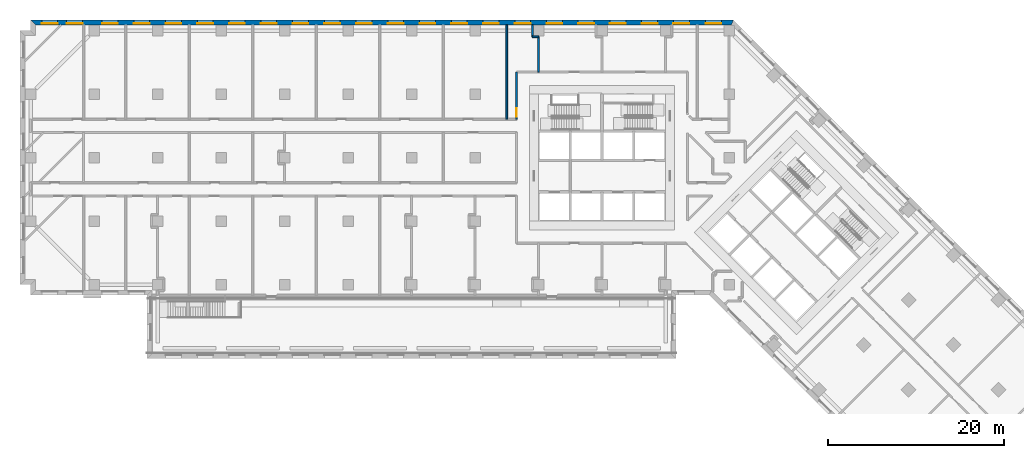
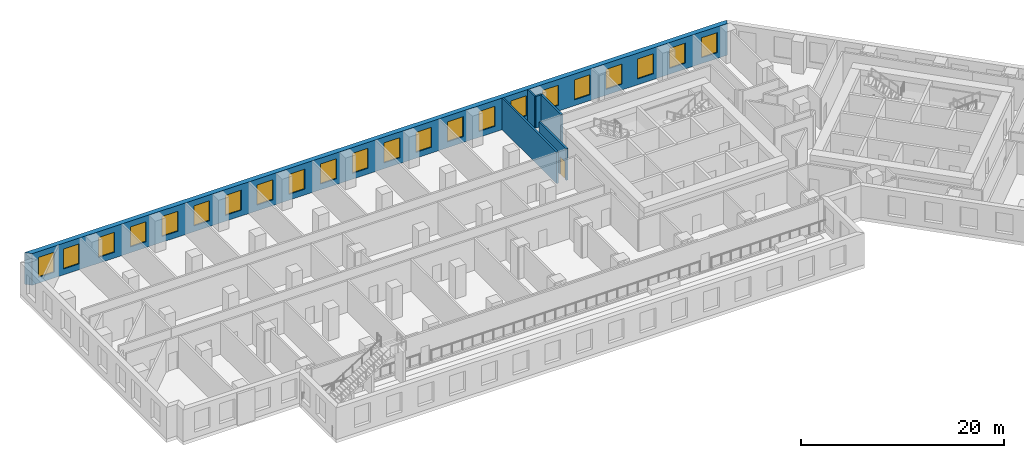
# One storey, part 6 of 14: 22 windows, 6 walls, 1 door, 23 openings.
"""IFC4 building model written with IfcOpenShell, lengths in metres."""

from ifc_helpers import new_model, si_unit, direction, frame, frame_2d, origin, place, context, subcontext, project, spatial, polyline, rectangle, outline, extrude, material, layer, layer_set, type_object, element, fill, save


model = new_model("IFC4")

# Units and contexts
model_context = context("Model", 3, precision=1e-05, world=origin(), true_north=direction((0.0, 1.0)))
body_context = subcontext(model_context, "Body", "Model", "MODEL_VIEW")
ifc_project = project(units=[si_unit("LENGTHUNIT", "METRE"), si_unit("AREAUNIT", "SQUARE_METRE"), si_unit("VOLUMEUNIT", "CUBIC_METRE"), si_unit("PLANEANGLEUNIT", "RADIAN"), si_unit("MASSUNIT", "GRAM", prefix="KILO")], contexts=[model_context])

# Site, building, storey
site_placement = place(None, origin())
site = spatial("IfcSite", under=ifc_project, at=site_placement, CompositionType="ELEMENT")
building_placement = place(site_placement, origin())
building = spatial("IfcBuilding", under=site, at=building_placement, Name="Windrow Commons", CompositionType="ELEMENT")
storey_placement = place(building_placement, frame((0.0, 0.0, 18.6)))
storey = spatial("IfcBuildingStorey", under=building, at=storey_placement, Name="L04", CompositionType="ELEMENT", Elevation=18.6)

# Wall, openings, windows
ifc_material_1 = material(Name="Brick masonry, red clay brick", Category="masonry")
ifc_layer_1 = layer(ifc_material_1, 0.55)
ifc_layer_set_1 = layer_set([ifc_layer_1], Name="Brick facade wall 550")
wall_type_1 = type_object("IfcWallType", Name="Brick facade wall 550", PredefinedType="SOLIDWALL", material=ifc_layer_set_1)
wall_1_placement = place(storey_placement, frame((79.5832, 72.925, 0.0), z_axis=(0.0, 0.0, 1.0), x_axis=(-1.0, 0.0, 0.0)))
wall_1 = element("IfcWall", 1, at=wall_1_placement, inside=storey, type_object=wall_type_1, Name="Brick facade wall L04 5", PredefinedType="SOLIDWALL", context=body_context, shape_type="SweptSolid", body=[
    extrude(outline(polyline([(-0.1139, -0.275), (79.5832, -0.275), (79.0332, 0.275), (0.1139, 0.275), (-0.1139, -0.275)])), origin(), (0.0, 0.0, 1.0), 3.8),
])
opening_1_placement = place(wall_1_placement, frame((1.2486, 0.0, 0.7)))
opening_1 = element("IfcOpeningElement", 2, at=opening_1_placement, cuts=wall_1, Name="Opening W2B", PredefinedType="OPENING", context=body_context, shape_type="SweptSolid", body=[
    extrude(rectangle(XDim=1.8, YDim=2.4, at=frame_2d((0.9, 1.2))), frame((0.0, 0.285, 0.0), z_axis=(0.0, -1.0, 0.0), x_axis=(1.0, 0.0, 0.0)), (0.0, 0.0, 1.0), 0.57),
])
opening_2_placement = place(wall_1_placement, frame((4.8832, 0.0, 0.7)))
opening_2 = element("IfcOpeningElement", 3, at=opening_2_placement, cuts=wall_1, Name="Opening W2B", PredefinedType="OPENING", context=body_context, shape_type="SweptSolid", body=[
    extrude(rectangle(XDim=1.8, YDim=2.4, at=frame_2d((0.9, 1.2))), frame((0.0, 0.285, 0.0), z_axis=(0.0, -1.0, 0.0), x_axis=(1.0, 0.0, 0.0)), (0.0, 0.0, 1.0), 0.57),
])
opening_3_placement = place(wall_1_placement, frame((8.4832, 0.0, 0.7)))
opening_3 = element("IfcOpeningElement", 4, at=opening_3_placement, cuts=wall_1, Name="Opening W2B", PredefinedType="OPENING", context=body_context, shape_type="SweptSolid", body=[
    extrude(rectangle(XDim=1.8, YDim=2.4, at=frame_2d((0.9, 1.2))), frame((0.0, 0.285, 0.0), z_axis=(0.0, -1.0, 0.0), x_axis=(1.0, 0.0, 0.0)), (0.0, 0.0, 1.0), 0.57),
])
opening_4_placement = place(wall_1_placement, frame((12.0832, 0.0, 0.7)))
opening_4 = element("IfcOpeningElement", 5, at=opening_4_placement, cuts=wall_1, Name="Opening W2B", PredefinedType="OPENING", context=body_context, shape_type="SweptSolid", body=[
    extrude(rectangle(XDim=1.8, YDim=2.4, at=frame_2d((0.9, 1.2))), frame((0.0, 0.285, 0.0), z_axis=(0.0, -1.0, 0.0), x_axis=(1.0, 0.0, 0.0)), (0.0, 0.0, 1.0), 0.57),
])
opening_5_placement = place(wall_1_placement, frame((15.6832, 0.0, 0.7)))
opening_5 = element("IfcOpeningElement", 6, at=opening_5_placement, cuts=wall_1, Name="Opening W2B", PredefinedType="OPENING", context=body_context, shape_type="SweptSolid", body=[
    extrude(rectangle(XDim=1.8, YDim=2.4, at=frame_2d((0.9, 1.2))), frame((0.0, 0.285, 0.0), z_axis=(0.0, -1.0, 0.0), x_axis=(1.0, 0.0, 0.0)), (0.0, 0.0, 1.0), 0.57),
])
opening_6_placement = place(wall_1_placement, frame((19.2832, 0.0, 0.7)))
opening_6 = element("IfcOpeningElement", 7, at=opening_6_placement, cuts=wall_1, Name="Opening W2B", PredefinedType="OPENING", context=body_context, shape_type="SweptSolid", body=[
    extrude(rectangle(XDim=1.8, YDim=2.4, at=frame_2d((0.9, 1.2))), frame((0.0, 0.285, 0.0), z_axis=(0.0, -1.0, 0.0), x_axis=(1.0, 0.0, 0.0)), (0.0, 0.0, 1.0), 0.57),
])
opening_7_placement = place(wall_1_placement, frame((22.8832, 0.0, 0.7)))
opening_7 = element("IfcOpeningElement", 8, at=opening_7_placement, cuts=wall_1, Name="Opening W2B", PredefinedType="OPENING", context=body_context, shape_type="SweptSolid", body=[
    extrude(rectangle(XDim=1.8, YDim=2.4, at=frame_2d((0.9, 1.2))), frame((0.0, 0.285, 0.0), z_axis=(0.0, -1.0, 0.0), x_axis=(1.0, 0.0, 0.0)), (0.0, 0.0, 1.0), 0.57),
])
opening_8_placement = place(wall_1_placement, frame((26.4832, 0.0, 0.7)))
opening_8 = element("IfcOpeningElement", 9, at=opening_8_placement, cuts=wall_1, Name="Opening W2B", PredefinedType="OPENING", context=body_context, shape_type="SweptSolid", body=[
    extrude(rectangle(XDim=1.8, YDim=2.4, at=frame_2d((0.9, 1.2))), frame((0.0, 0.285, 0.0), z_axis=(0.0, -1.0, 0.0), x_axis=(1.0, 0.0, 0.0)), (0.0, 0.0, 1.0), 0.57),
])
opening_9_placement = place(wall_1_placement, frame((30.0832, 0.0, 0.7)))
opening_9 = element("IfcOpeningElement", 10, at=opening_9_placement, cuts=wall_1, Name="Opening W2B", PredefinedType="OPENING", context=body_context, shape_type="SweptSolid", body=[
    extrude(rectangle(XDim=1.8, YDim=2.4, at=frame_2d((0.9, 1.2))), frame((0.0, 0.285, 0.0), z_axis=(0.0, -1.0, 0.0), x_axis=(1.0, 0.0, 0.0)), (0.0, 0.0, 1.0), 0.57),
])
opening_10_placement = place(wall_1_placement, frame((33.6832, 0.0, 0.7)))
opening_10 = element("IfcOpeningElement", 11, at=opening_10_placement, cuts=wall_1, Name="Opening W2B", PredefinedType="OPENING", context=body_context, shape_type="SweptSolid", body=[
    extrude(rectangle(XDim=1.8, YDim=2.4, at=frame_2d((0.9, 1.2))), frame((0.0, 0.285, 0.0), z_axis=(0.0, -1.0, 0.0), x_axis=(1.0, 0.0, 0.0)), (0.0, 0.0, 1.0), 0.57),
])
opening_11_placement = place(wall_1_placement, frame((37.2832, 0.0, 0.7)))
opening_11 = element("IfcOpeningElement", 12, at=opening_11_placement, cuts=wall_1, Name="Opening W2B", PredefinedType="OPENING", context=body_context, shape_type="SweptSolid", body=[
    extrude(rectangle(XDim=1.8, YDim=2.4, at=frame_2d((0.9, 1.2))), frame((0.0, 0.285, 0.0), z_axis=(0.0, -1.0, 0.0), x_axis=(1.0, 0.0, 0.0)), (0.0, 0.0, 1.0), 0.57),
])
opening_12_placement = place(wall_1_placement, frame((40.8832, 0.0, 0.7)))
opening_12 = element("IfcOpeningElement", 13, at=opening_12_placement, cuts=wall_1, Name="Opening W2B", PredefinedType="OPENING", context=body_context, shape_type="SweptSolid", body=[
    extrude(rectangle(XDim=1.8, YDim=2.4, at=frame_2d((0.9, 1.2))), frame((0.0, 0.285, 0.0), z_axis=(0.0, -1.0, 0.0), x_axis=(1.0, 0.0, 0.0)), (0.0, 0.0, 1.0), 0.57),
])
opening_13_placement = place(wall_1_placement, frame((44.4832, 0.0, 0.7)))
opening_13 = element("IfcOpeningElement", 14, at=opening_13_placement, cuts=wall_1, Name="Opening W2B", PredefinedType="OPENING", context=body_context, shape_type="SweptSolid", body=[
    extrude(rectangle(XDim=1.8, YDim=2.4, at=frame_2d((0.9, 1.2))), frame((0.0, 0.285, 0.0), z_axis=(0.0, -1.0, 0.0), x_axis=(1.0, 0.0, 0.0)), (0.0, 0.0, 1.0), 0.57),
])
opening_14_placement = place(wall_1_placement, frame((48.0832, 0.0, 0.7)))
opening_14 = element("IfcOpeningElement", 15, at=opening_14_placement, cuts=wall_1, Name="Opening W2B", PredefinedType="OPENING", context=body_context, shape_type="SweptSolid", body=[
    extrude(rectangle(XDim=1.8, YDim=2.4, at=frame_2d((0.9, 1.2))), frame((0.0, 0.285, 0.0), z_axis=(0.0, -1.0, 0.0), x_axis=(1.0, 0.0, 0.0)), (0.0, 0.0, 1.0), 0.57),
])
opening_15_placement = place(wall_1_placement, frame((51.6832, 0.0, 0.7)))
opening_15 = element("IfcOpeningElement", 16, at=opening_15_placement, cuts=wall_1, Name="Opening W2B", PredefinedType="OPENING", context=body_context, shape_type="SweptSolid", body=[
    extrude(rectangle(XDim=1.8, YDim=2.4, at=frame_2d((0.9, 1.2))), frame((0.0, 0.285, 0.0), z_axis=(0.0, -1.0, 0.0), x_axis=(1.0, 0.0, 0.0)), (0.0, 0.0, 1.0), 0.57),
])
opening_16_placement = place(wall_1_placement, frame((55.2832, 0.0, 0.7)))
opening_16 = element("IfcOpeningElement", 17, at=opening_16_placement, cuts=wall_1, Name="Opening W2B", PredefinedType="OPENING", context=body_context, shape_type="SweptSolid", body=[
    extrude(rectangle(XDim=1.8, YDim=2.4, at=frame_2d((0.9, 1.2))), frame((0.0, 0.285, 0.0), z_axis=(0.0, -1.0, 0.0), x_axis=(1.0, 0.0, 0.0)), (0.0, 0.0, 1.0), 0.57),
])
opening_17_placement = place(wall_1_placement, frame((58.8832, 0.0, 0.7)))
opening_17 = element("IfcOpeningElement", 18, at=opening_17_placement, cuts=wall_1, Name="Opening W2B", PredefinedType="OPENING", context=body_context, shape_type="SweptSolid", body=[
    extrude(rectangle(XDim=1.8, YDim=2.4, at=frame_2d((0.9, 1.2))), frame((0.0, 0.285, 0.0), z_axis=(0.0, -1.0, 0.0), x_axis=(1.0, 0.0, 0.0)), (0.0, 0.0, 1.0), 0.57),
])
opening_18_placement = place(wall_1_placement, frame((62.4832, 0.0, 0.7)))
opening_18 = element("IfcOpeningElement", 19, at=opening_18_placement, cuts=wall_1, Name="Opening W2B", PredefinedType="OPENING", context=body_context, shape_type="SweptSolid", body=[
    extrude(rectangle(XDim=1.8, YDim=2.4, at=frame_2d((0.9, 1.2))), frame((0.0, 0.285, 0.0), z_axis=(0.0, -1.0, 0.0), x_axis=(1.0, 0.0, 0.0)), (0.0, 0.0, 1.0), 0.57),
])
opening_19_placement = place(wall_1_placement, frame((66.0832, 0.0, 0.7)))
opening_19 = element("IfcOpeningElement", 20, at=opening_19_placement, cuts=wall_1, Name="Opening W2B", PredefinedType="OPENING", context=body_context, shape_type="SweptSolid", body=[
    extrude(rectangle(XDim=1.8, YDim=2.4, at=frame_2d((0.9, 1.2))), frame((0.0, 0.285, 0.0), z_axis=(0.0, -1.0, 0.0), x_axis=(1.0, 0.0, 0.0)), (0.0, 0.0, 1.0), 0.57),
])
opening_20_placement = place(wall_1_placement, frame((69.6832, 0.0, 0.7)))
opening_20 = element("IfcOpeningElement", 21, at=opening_20_placement, cuts=wall_1, Name="Opening W2B", PredefinedType="OPENING", context=body_context, shape_type="SweptSolid", body=[
    extrude(rectangle(XDim=1.8, YDim=2.4, at=frame_2d((0.9, 1.2))), frame((0.0, 0.285, 0.0), z_axis=(0.0, -1.0, 0.0), x_axis=(1.0, 0.0, 0.0)), (0.0, 0.0, 1.0), 0.57),
])
opening_21_placement = place(wall_1_placement, frame((73.6832, 0.0, 0.7)))
opening_21 = element("IfcOpeningElement", 22, at=opening_21_placement, cuts=wall_1, Name="Opening W2B", PredefinedType="OPENING", context=body_context, shape_type="SweptSolid", body=[
    extrude(rectangle(XDim=1.8, YDim=2.4, at=frame_2d((0.9, 1.2))), frame((0.0, 0.285, 0.0), z_axis=(0.0, -1.0, 0.0), x_axis=(1.0, 0.0, 0.0)), (0.0, 0.0, 1.0), 0.57),
])
opening_22_placement = place(wall_1_placement, frame((76.5082, 0.0, 0.7)))
opening_22 = element("IfcOpeningElement", 23, at=opening_22_placement, cuts=wall_1, Name="Opening W2B", PredefinedType="OPENING", context=body_context, shape_type="SweptSolid", body=[
    extrude(rectangle(XDim=1.8, YDim=2.4, at=frame_2d((0.9, 1.2))), frame((0.0, 0.285, 0.0), z_axis=(0.0, -1.0, 0.0), x_axis=(1.0, 0.0, 0.0)), (0.0, 0.0, 1.0), 0.57),
])
ifc_material_2 = material(Name="Clear float glass in anodised aluminium frame", Category="aluminium")
window_type = type_object("IfcWindowType", Name="Window W2 podium 1800x2400", PartitioningType="SINGLE_PANEL", PredefinedType="WINDOW", material=ifc_material_2)
window_1_placement = place(opening_1_placement, origin())
window_1 = element("IfcWindow", 24, at=window_1_placement, inside=storey, type_object=window_type, Name="Window L04 5.1", OverallHeight=2.4, OverallWidth=1.8, PartitioningType="SINGLE_PANEL", PredefinedType="WINDOW", context=body_context, shape_type="SweptSolid", body=[
    extrude(rectangle(XDim=1.8, YDim=2.4, at=frame_2d((0.9, 1.2))), frame((0.0, 0.155, 0.0), z_axis=(0.0, -1.0, 0.0), x_axis=(1.0, 0.0, 0.0)), (0.0, 0.0, 1.0), 0.06),
])
fill(opening_1, window_1)
window_2_placement = place(opening_2_placement, origin())
window_2 = element("IfcWindow", 25, at=window_2_placement, inside=storey, type_object=window_type, Name="Window L04 5.2", OverallHeight=2.4, OverallWidth=1.8, PartitioningType="SINGLE_PANEL", PredefinedType="WINDOW", context=body_context, shape_type="SweptSolid", body=[
    extrude(rectangle(XDim=1.8, YDim=2.4, at=frame_2d((0.9, 1.2))), frame((0.0, 0.155, 0.0), z_axis=(0.0, -1.0, 0.0), x_axis=(1.0, 0.0, 0.0)), (0.0, 0.0, 1.0), 0.06),
])
fill(opening_2, window_2)
window_3_placement = place(opening_3_placement, origin())
window_3 = element("IfcWindow", 26, at=window_3_placement, inside=storey, type_object=window_type, Name="Window L04 5.3", OverallHeight=2.4, OverallWidth=1.8, PartitioningType="SINGLE_PANEL", PredefinedType="WINDOW", context=body_context, shape_type="SweptSolid", body=[
    extrude(rectangle(XDim=1.8, YDim=2.4, at=frame_2d((0.9, 1.2))), frame((0.0, 0.155, 0.0), z_axis=(0.0, -1.0, 0.0), x_axis=(1.0, 0.0, 0.0)), (0.0, 0.0, 1.0), 0.06),
])
fill(opening_3, window_3)
window_4_placement = place(opening_4_placement, origin())
window_4 = element("IfcWindow", 27, at=window_4_placement, inside=storey, type_object=window_type, Name="Window L04 5.4", OverallHeight=2.4, OverallWidth=1.8, PartitioningType="SINGLE_PANEL", PredefinedType="WINDOW", context=body_context, shape_type="SweptSolid", body=[
    extrude(rectangle(XDim=1.8, YDim=2.4, at=frame_2d((0.9, 1.2))), frame((0.0, 0.155, 0.0), z_axis=(0.0, -1.0, 0.0), x_axis=(1.0, 0.0, 0.0)), (0.0, 0.0, 1.0), 0.06),
])
fill(opening_4, window_4)
window_5_placement = place(opening_5_placement, origin())
window_5 = element("IfcWindow", 28, at=window_5_placement, inside=storey, type_object=window_type, Name="Window L04 5.5", OverallHeight=2.4, OverallWidth=1.8, PartitioningType="SINGLE_PANEL", PredefinedType="WINDOW", context=body_context, shape_type="SweptSolid", body=[
    extrude(rectangle(XDim=1.8, YDim=2.4, at=frame_2d((0.9, 1.2))), frame((0.0, 0.155, 0.0), z_axis=(0.0, -1.0, 0.0), x_axis=(1.0, 0.0, 0.0)), (0.0, 0.0, 1.0), 0.06),
])
fill(opening_5, window_5)
window_6_placement = place(opening_6_placement, origin())
window_6 = element("IfcWindow", 29, at=window_6_placement, inside=storey, type_object=window_type, Name="Window L04 5.6", OverallHeight=2.4, OverallWidth=1.8, PartitioningType="SINGLE_PANEL", PredefinedType="WINDOW", context=body_context, shape_type="SweptSolid", body=[
    extrude(rectangle(XDim=1.8, YDim=2.4, at=frame_2d((0.9, 1.2))), frame((0.0, 0.155, 0.0), z_axis=(0.0, -1.0, 0.0), x_axis=(1.0, 0.0, 0.0)), (0.0, 0.0, 1.0), 0.06),
])
fill(opening_6, window_6)
window_7_placement = place(opening_7_placement, origin())
window_7 = element("IfcWindow", 30, at=window_7_placement, inside=storey, type_object=window_type, Name="Window L04 5.7", OverallHeight=2.4, OverallWidth=1.8, PartitioningType="SINGLE_PANEL", PredefinedType="WINDOW", context=body_context, shape_type="SweptSolid", body=[
    extrude(rectangle(XDim=1.8, YDim=2.4, at=frame_2d((0.9, 1.2))), frame((0.0, 0.155, 0.0), z_axis=(0.0, -1.0, 0.0), x_axis=(1.0, 0.0, 0.0)), (0.0, 0.0, 1.0), 0.06),
])
fill(opening_7, window_7)
window_8_placement = place(opening_8_placement, origin())
window_8 = element("IfcWindow", 31, at=window_8_placement, inside=storey, type_object=window_type, Name="Window L04 5.8", OverallHeight=2.4, OverallWidth=1.8, PartitioningType="SINGLE_PANEL", PredefinedType="WINDOW", context=body_context, shape_type="SweptSolid", body=[
    extrude(rectangle(XDim=1.8, YDim=2.4, at=frame_2d((0.9, 1.2))), frame((0.0, 0.155, 0.0), z_axis=(0.0, -1.0, 0.0), x_axis=(1.0, 0.0, 0.0)), (0.0, 0.0, 1.0), 0.06),
])
fill(opening_8, window_8)
window_9_placement = place(opening_9_placement, origin())
window_9 = element("IfcWindow", 32, at=window_9_placement, inside=storey, type_object=window_type, Name="Window L04 5.9", OverallHeight=2.4, OverallWidth=1.8, PartitioningType="SINGLE_PANEL", PredefinedType="WINDOW", context=body_context, shape_type="SweptSolid", body=[
    extrude(rectangle(XDim=1.8, YDim=2.4, at=frame_2d((0.9, 1.2))), frame((0.0, 0.155, 0.0), z_axis=(0.0, -1.0, 0.0), x_axis=(1.0, 0.0, 0.0)), (0.0, 0.0, 1.0), 0.06),
])
fill(opening_9, window_9)
window_10_placement = place(opening_10_placement, origin())
window_10 = element("IfcWindow", 33, at=window_10_placement, inside=storey, type_object=window_type, Name="Window L04 5.10", OverallHeight=2.4, OverallWidth=1.8, PartitioningType="SINGLE_PANEL", PredefinedType="WINDOW", context=body_context, shape_type="SweptSolid", body=[
    extrude(rectangle(XDim=1.8, YDim=2.4, at=frame_2d((0.9, 1.2))), frame((0.0, 0.155, 0.0), z_axis=(0.0, -1.0, 0.0), x_axis=(1.0, 0.0, 0.0)), (0.0, 0.0, 1.0), 0.06),
])
fill(opening_10, window_10)
window_11_placement = place(opening_11_placement, origin())
window_11 = element("IfcWindow", 34, at=window_11_placement, inside=storey, type_object=window_type, Name="Window L04 5.11", OverallHeight=2.4, OverallWidth=1.8, PartitioningType="SINGLE_PANEL", PredefinedType="WINDOW", context=body_context, shape_type="SweptSolid", body=[
    extrude(rectangle(XDim=1.8, YDim=2.4, at=frame_2d((0.9, 1.2))), frame((0.0, 0.155, 0.0), z_axis=(0.0, -1.0, 0.0), x_axis=(1.0, 0.0, 0.0)), (0.0, 0.0, 1.0), 0.06),
])
fill(opening_11, window_11)
window_12_placement = place(opening_12_placement, origin())
window_12 = element("IfcWindow", 35, at=window_12_placement, inside=storey, type_object=window_type, Name="Window L04 5.12", OverallHeight=2.4, OverallWidth=1.8, PartitioningType="SINGLE_PANEL", PredefinedType="WINDOW", context=body_context, shape_type="SweptSolid", body=[
    extrude(rectangle(XDim=1.8, YDim=2.4, at=frame_2d((0.9, 1.2))), frame((0.0, 0.155, 0.0), z_axis=(0.0, -1.0, 0.0), x_axis=(1.0, 0.0, 0.0)), (0.0, 0.0, 1.0), 0.06),
])
fill(opening_12, window_12)
window_13_placement = place(opening_13_placement, origin())
window_13 = element("IfcWindow", 36, at=window_13_placement, inside=storey, type_object=window_type, Name="Window L04 5.13", OverallHeight=2.4, OverallWidth=1.8, PartitioningType="SINGLE_PANEL", PredefinedType="WINDOW", context=body_context, shape_type="SweptSolid", body=[
    extrude(rectangle(XDim=1.8, YDim=2.4, at=frame_2d((0.9, 1.2))), frame((0.0, 0.155, 0.0), z_axis=(0.0, -1.0, 0.0), x_axis=(1.0, 0.0, 0.0)), (0.0, 0.0, 1.0), 0.06),
])
fill(opening_13, window_13)
window_14_placement = place(opening_14_placement, origin())
window_14 = element("IfcWindow", 37, at=window_14_placement, inside=storey, type_object=window_type, Name="Window L04 5.14", OverallHeight=2.4, OverallWidth=1.8, PartitioningType="SINGLE_PANEL", PredefinedType="WINDOW", context=body_context, shape_type="SweptSolid", body=[
    extrude(rectangle(XDim=1.8, YDim=2.4, at=frame_2d((0.9, 1.2))), frame((0.0, 0.155, 0.0), z_axis=(0.0, -1.0, 0.0), x_axis=(1.0, 0.0, 0.0)), (0.0, 0.0, 1.0), 0.06),
])
fill(opening_14, window_14)
window_15_placement = place(opening_15_placement, origin())
window_15 = element("IfcWindow", 38, at=window_15_placement, inside=storey, type_object=window_type, Name="Window L04 5.15", OverallHeight=2.4, OverallWidth=1.8, PartitioningType="SINGLE_PANEL", PredefinedType="WINDOW", context=body_context, shape_type="SweptSolid", body=[
    extrude(rectangle(XDim=1.8, YDim=2.4, at=frame_2d((0.9, 1.2))), frame((0.0, 0.155, 0.0), z_axis=(0.0, -1.0, 0.0), x_axis=(1.0, 0.0, 0.0)), (0.0, 0.0, 1.0), 0.06),
])
fill(opening_15, window_15)
window_16_placement = place(opening_16_placement, origin())
window_16 = element("IfcWindow", 39, at=window_16_placement, inside=storey, type_object=window_type, Name="Window L04 5.16", OverallHeight=2.4, OverallWidth=1.8, PartitioningType="SINGLE_PANEL", PredefinedType="WINDOW", context=body_context, shape_type="SweptSolid", body=[
    extrude(rectangle(XDim=1.8, YDim=2.4, at=frame_2d((0.9, 1.2))), frame((0.0, 0.155, 0.0), z_axis=(0.0, -1.0, 0.0), x_axis=(1.0, 0.0, 0.0)), (0.0, 0.0, 1.0), 0.06),
])
fill(opening_16, window_16)
window_17_placement = place(opening_17_placement, origin())
window_17 = element("IfcWindow", 40, at=window_17_placement, inside=storey, type_object=window_type, Name="Window L04 5.17", OverallHeight=2.4, OverallWidth=1.8, PartitioningType="SINGLE_PANEL", PredefinedType="WINDOW", context=body_context, shape_type="SweptSolid", body=[
    extrude(rectangle(XDim=1.8, YDim=2.4, at=frame_2d((0.9, 1.2))), frame((0.0, 0.155, 0.0), z_axis=(0.0, -1.0, 0.0), x_axis=(1.0, 0.0, 0.0)), (0.0, 0.0, 1.0), 0.06),
])
fill(opening_17, window_17)
window_18_placement = place(opening_18_placement, origin())
window_18 = element("IfcWindow", 41, at=window_18_placement, inside=storey, type_object=window_type, Name="Window L04 5.18", OverallHeight=2.4, OverallWidth=1.8, PartitioningType="SINGLE_PANEL", PredefinedType="WINDOW", context=body_context, shape_type="SweptSolid", body=[
    extrude(rectangle(XDim=1.8, YDim=2.4, at=frame_2d((0.9, 1.2))), frame((0.0, 0.155, 0.0), z_axis=(0.0, -1.0, 0.0), x_axis=(1.0, 0.0, 0.0)), (0.0, 0.0, 1.0), 0.06),
])
fill(opening_18, window_18)
window_19_placement = place(opening_19_placement, origin())
window_19 = element("IfcWindow", 42, at=window_19_placement, inside=storey, type_object=window_type, Name="Window L04 5.19", OverallHeight=2.4, OverallWidth=1.8, PartitioningType="SINGLE_PANEL", PredefinedType="WINDOW", context=body_context, shape_type="SweptSolid", body=[
    extrude(rectangle(XDim=1.8, YDim=2.4, at=frame_2d((0.9, 1.2))), frame((0.0, 0.155, 0.0), z_axis=(0.0, -1.0, 0.0), x_axis=(1.0, 0.0, 0.0)), (0.0, 0.0, 1.0), 0.06),
])
fill(opening_19, window_19)
window_20_placement = place(opening_20_placement, origin())
window_20 = element("IfcWindow", 43, at=window_20_placement, inside=storey, type_object=window_type, Name="Window L04 5.20", OverallHeight=2.4, OverallWidth=1.8, PartitioningType="SINGLE_PANEL", PredefinedType="WINDOW", context=body_context, shape_type="SweptSolid", body=[
    extrude(rectangle(XDim=1.8, YDim=2.4, at=frame_2d((0.9, 1.2))), frame((0.0, 0.155, 0.0), z_axis=(0.0, -1.0, 0.0), x_axis=(1.0, 0.0, 0.0)), (0.0, 0.0, 1.0), 0.06),
])
fill(opening_20, window_20)
window_21_placement = place(opening_21_placement, origin())
window_21 = element("IfcWindow", 44, at=window_21_placement, inside=storey, type_object=window_type, Name="Window L04 5.21", OverallHeight=2.4, OverallWidth=1.8, PartitioningType="SINGLE_PANEL", PredefinedType="WINDOW", context=body_context, shape_type="SweptSolid", body=[
    extrude(rectangle(XDim=1.8, YDim=2.4, at=frame_2d((0.9, 1.2))), frame((0.0, 0.155, 0.0), z_axis=(0.0, -1.0, 0.0), x_axis=(1.0, 0.0, 0.0)), (0.0, 0.0, 1.0), 0.06),
])
fill(opening_21, window_21)
window_22_placement = place(opening_22_placement, origin())
window_22 = element("IfcWindow", 45, at=window_22_placement, inside=storey, type_object=window_type, Name="Window L04 5.22", OverallHeight=2.4, OverallWidth=1.8, PartitioningType="SINGLE_PANEL", PredefinedType="WINDOW", context=body_context, shape_type="SweptSolid", body=[
    extrude(rectangle(XDim=1.8, YDim=2.4, at=frame_2d((0.9, 1.2))), frame((0.0, 0.155, 0.0), z_axis=(0.0, -1.0, 0.0), x_axis=(1.0, 0.0, 0.0)), (0.0, 0.0, 1.0), 0.06),
])
fill(opening_22, window_22)

# Wall, opening, door
ifc_material_3 = material(Name="Blockwork partition", Category="masonry")
ifc_layer_2 = layer(ifc_material_3, 0.2)
ifc_layer_set_2 = layer_set([ifc_layer_2], Name="IW-CORRIDOR-200")
wall_type_2 = type_object("IfcWallType", Name="IW-CORRIDOR-200", PredefinedType="PARTITIONING", material=ifc_layer_set_2)
wall_2_placement = place(storey_placement, frame((55.1, 61.952, 0.0), z_axis=(0.0, 0.0, 1.0), x_axis=(0.0, 1.0, 0.0)))
wall_2 = element("IfcWall", 46, at=wall_2_placement, inside=storey, type_object=wall_type_2, Name="W-L04-W057", PredefinedType="PARTITIONING", context=body_context, shape_type="SweptSolid", body=[
    extrude(rectangle(XDim=5.348, YDim=0.2, at=frame_2d((2.674, 0.0))), origin(), (0.0, 0.0, 1.0), 3.8),
])
opening_23_placement = place(wall_2_placement, frame((0.2586, 0.0, 0.0)))
opening_23 = element("IfcOpeningElement", 47, at=opening_23_placement, cuts=wall_2, Name="Opening D310F", PredefinedType="OPENING", context=body_context, shape_type="SweptSolid", body=[
    extrude(rectangle(XDim=1.0, YDim=2.1, at=frame_2d((0.5, 1.05))), frame((0.0, 0.11, 0.0), z_axis=(0.0, -1.0, 0.0), x_axis=(1.0, 0.0, 0.0)), (0.0, 0.0, 1.0), 0.22),
])
ifc_material_4 = material(Name="Timber door leaf", Category="wood")
door_type = type_object("IfcDoorType", Name="DT-AMENITY-1000", OperationType="SINGLE_SWING_LEFT", PredefinedType="DOOR", material=ifc_material_4)
door_placement = place(opening_23_placement, origin())
door = element("IfcDoor", 48, at=door_placement, inside=storey, type_object=door_type, Name="D-L04-D026", OperationType="SINGLE_SWING_LEFT", OverallHeight=2.1, OverallWidth=1.0, PredefinedType="DOOR", context=body_context, shape_type="SweptSolid", body=[
    extrude(rectangle(XDim=1.0, YDim=2.1, at=frame_2d((0.5, 1.05))), frame((0.0, 0.025, 0.0), z_axis=(0.0, -1.0, 0.0), x_axis=(1.0, 0.0, 0.0)), (0.0, 0.0, 1.0), 0.05),
])
fill(opening_23, door)

# Walls
ifc_material_5 = material(Name="Blockwork partition", Category="masonry")
ifc_layer_3 = layer(ifc_material_5, 0.2)
ifc_layer_set_3 = layer_set([ifc_layer_3], Name="IW-PARTY-200")
wall_type_3 = type_object("IfcWallType", Name="IW-PARTY-200", PredefinedType="PARTITIONING", material=ifc_layer_set_3)
wall_3_placement = place(storey_placement, frame((54.0, 61.95, 0.0), z_axis=(0.0, 0.0, 1.0), x_axis=(0.0, 1.0, 0.0)))
element("IfcWall", 49, at=wall_3_placement, inside=storey, type_object=wall_type_3, Name="W-L04-W026", PredefinedType="PARTITIONING", context=body_context, shape_type="SweptSolid", body=[
    extrude(rectangle(XDim=10.7, YDim=0.2, at=frame_2d((5.35, 0.0))), origin(), (0.0, 0.0, 1.0), 3.8),
])
wall_4_placement = place(storey_placement, frame((57.6, 67.3, 0.0), z_axis=(0.0, 0.0, 1.0), x_axis=(0.0, 1.0, 0.0)))
element("IfcWall", 50, at=wall_4_placement, inside=storey, type_object=wall_type_3, Name="W-L04-W062", PredefinedType="PARTITIONING", context=body_context, shape_type="SweptSolid", body=[
    extrude(rectangle(XDim=3.996, YDim=0.2, at=frame_2d((1.998, 0.0))), origin(), (0.0, 0.0, 1.0), 3.8),
])
wall_5_placement = place(storey_placement, frame((56.9, 71.296, 0.0), z_axis=(0.0, 0.0, 1.0), x_axis=(0.0, 1.0, 0.0)))
element("IfcWall", 51, at=wall_5_placement, inside=storey, type_object=wall_type_3, Name="W-L04-W111", PredefinedType="PARTITIONING", context=body_context, shape_type="SweptSolid", body=[
    extrude(rectangle(XDim=1.354, YDim=0.2, at=frame_2d((0.677, 0.0))), origin(), (0.0, 0.0, 1.0), 3.8),
])
wall_6_placement = place(storey_placement, frame((56.9, 71.3, 0.0), z_axis=(0.0, 0.0, 1.0), x_axis=(1.0, 0.0, 0.0)))
element("IfcWall", 52, at=wall_6_placement, inside=storey, type_object=wall_type_3, Name="W-L04-W126", PredefinedType="PARTITIONING", context=body_context, shape_type="SweptSolid", body=[
    extrude(rectangle(XDim=0.7, YDim=0.2, at=frame_2d((0.35, 0.0))), origin(), (0.0, 0.0, 1.0), 3.8),
])

save(model, "model.ifc")
